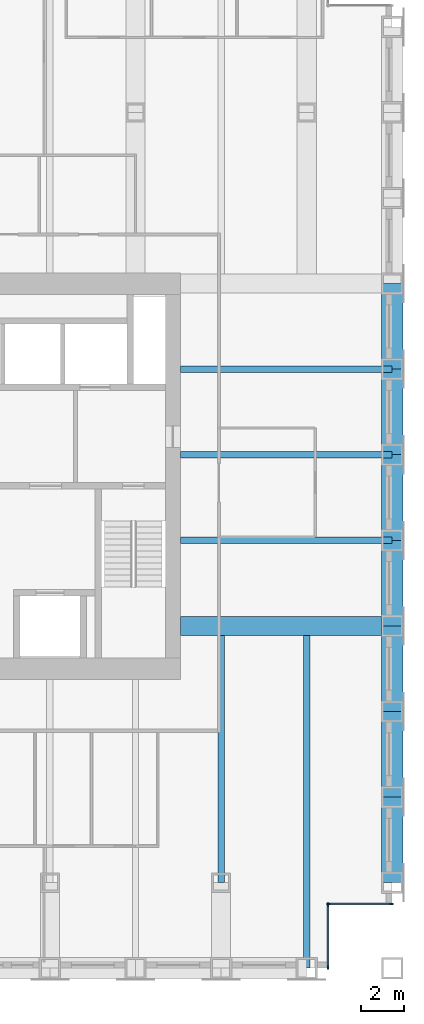
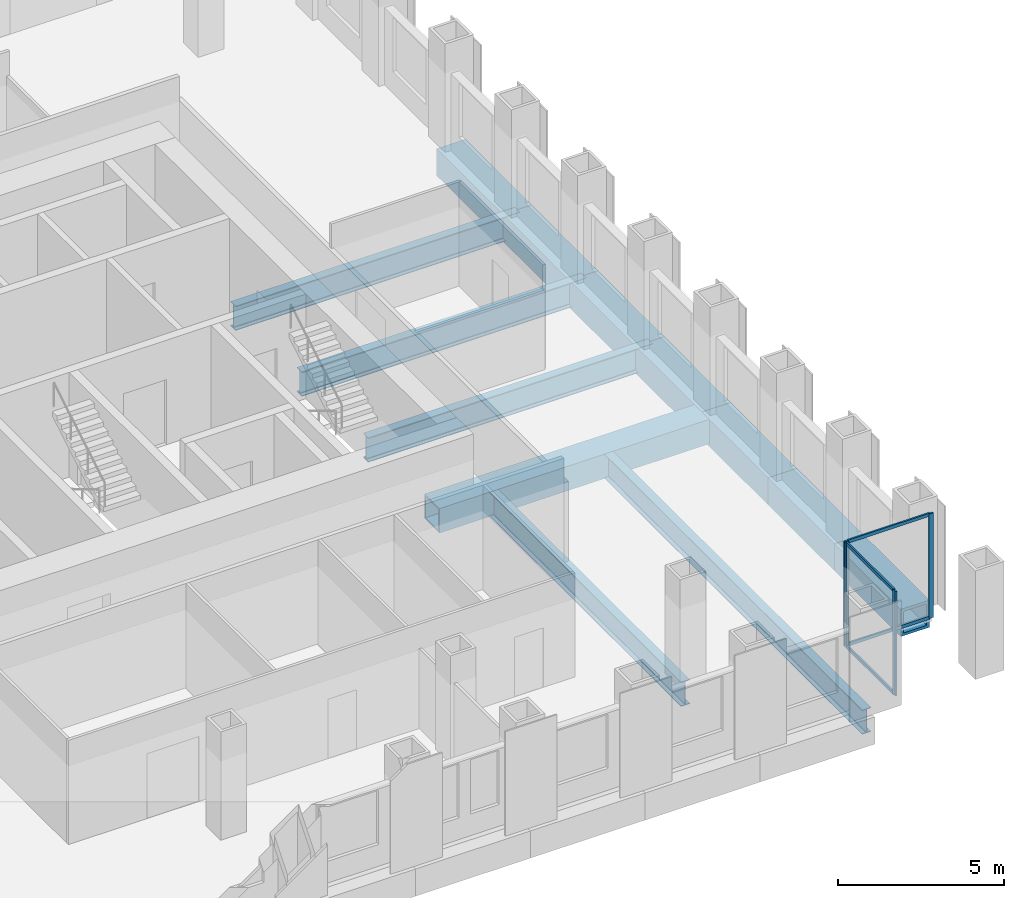
# One storey, part 4 of 12: 13 beams, 8 members, 2 elements without a shape of their own.
"""IFC4 building model written with IfcOpenShell, lengths in metres."""

from ifc_helpers import new_model, si_unit, direction, frame, origin, origin_2d, place, context, subcontext, project, spatial, rectangle, hollow_rectangle, i_section, extrude, material, material_profile, profile_set, type_object, element, aggregate, save


model = new_model("IFC4")

# Units and contexts
model_context = context("Model", 3, precision=1e-05, world=origin(), true_north=direction((0.0, 1.0)))
body_context = subcontext(model_context, "Body", "Model", "MODEL_VIEW")
ifc_project = project(units=[si_unit("LENGTHUNIT", "METRE"), si_unit("AREAUNIT", "SQUARE_METRE"), si_unit("VOLUMEUNIT", "CUBIC_METRE"), si_unit("PLANEANGLEUNIT", "RADIAN"), si_unit("MASSUNIT", "GRAM", prefix="KILO")], contexts=[model_context])

# Site, building, storey
site_placement = place(None, origin())
site = spatial("IfcSite", under=ifc_project, at=site_placement, CompositionType="ELEMENT")
building_placement = place(site_placement, origin())
building = spatial("IfcBuilding", under=site, at=building_placement, Name="Rimbunsela Tower", CompositionType="ELEMENT")
storey_placement = place(building_placement, frame((0.0, 0.0, 163.800048828125)))
storey = spatial("IfcBuildingStorey", under=building, at=storey_placement, Name="L39", CompositionType="ELEMENT", Elevation=163.800048828125)

# Beams
ifc_material_1 = material(Name="Steel BJ 55 (fy 410 MPa)", Category="steel")
ifc_material_profile_1 = material_profile(ifc_material_1, hollow_rectangle(XDim=1.0, YDim=1.0, WallThickness=0.10009765625, at=origin_2d()), Name="BOX 1000x1000x100")
ifc_profile_set_1 = profile_set([ifc_material_profile_1], Name="Steel BJ 55 (fy 410 MPa)")
beam_type_1 = type_object("IfcBeamType", Name="Beam BOX 1000x1000x100", PredefinedType="BEAM", material=ifc_profile_set_1)
for number, where, z_axis, x_axis, name in (
    (1, (46.0, 8.0, -0.650146484375), (0.0, 1.0, 0.0), (-1.0, 0.0, 0.0), "Beam B3 L39"),
    (2, (46.0, 12.0, -0.650146484375), (0.0, 1.0, 0.0), (-1.0, 0.0, 0.0), "Beam B3 L39"),
    (3, (46.0, 16.0, -0.650146484375), (0.0, 1.0, 0.0), (-1.0, 0.0, 0.0), "Beam B3 L39"),
    (4, (46.0, 20.0, -0.650146484375), (0.0, 1.0, 0.0), (-1.0, 0.0, 0.0), "Beam B3 L39"),
    (5, (46.0, 24.0, -0.650146484375), (0.0, 1.0, 0.0), (-1.0, 0.0, 0.0), "Beam B3 L39"),
    (6, (46.0, 28.0, -0.650146484375), (0.0, 1.0, 0.0), (-1.0, 0.0, 0.0), "Beam B3 L39"),
    (7, (46.0, 32.0, -0.650146484375), (0.0, 1.0, 0.0), (-1.0, 0.0, 0.0), "Beam B3 L39"),
):
    element("IfcBeam", number, at=place(storey_placement, frame(where, z_axis=z_axis, x_axis=x_axis)), inside=storey, type_object=beam_type_1, Name=name, PredefinedType="BEAM", context=body_context, shape_type="SweptSolid", body=[
        extrude(hollow_rectangle(XDim=1.0, YDim=1.0, WallThickness=0.10009765625, at=origin_2d()), origin(), (0.0, 0.0, 1.0), 4.0),
    ])
ifc_material_2 = material(Name="Steel BJ 55 (fy 410 MPa)", Category="steel")
ifc_material_profile_2 = material_profile(ifc_material_2, hollow_rectangle(XDim=0.89990234375, YDim=0.89990234375, WallThickness=0.06005859375, at=origin_2d()), Name="BOX 900x900x60")
ifc_profile_set_2 = profile_set([ifc_material_profile_2], Name="Steel BJ 55 (fy 410 MPa)")
beam_type_2 = type_object("IfcBeamType", Name="Beam BOX 900x900x60", PredefinedType="BEAM", material=ifc_profile_set_2)
beam_1_placement = place(storey_placement, frame((36.10009765625, 20.0, -0.60009765625), z_axis=(1.0, 0.0, 0.0), x_axis=(0.0, 1.0, 0.0)))
element("IfcBeam", 8, at=beam_1_placement, inside=storey, type_object=beam_type_2, Name="Beam B1 L39", PredefinedType="BEAM", context=body_context, shape_type="SweptSolid", body=[
    extrude(hollow_rectangle(XDim=0.89990234375, YDim=0.89990234375, WallThickness=0.06005859375, at=origin_2d()), origin(), (0.0, 0.0, 1.0), 9.89990234375),
])
ifc_material_3 = material(Name="Steel BJ 55 (fy 410 MPa)", Category="steel")
ifc_material_profile_3 = material_profile(ifc_material_3, i_section(OverallWidth=0.300048828125, OverallDepth=0.89990234375, WebThickness=0.01611328125, FlangeThickness=0.028076171875, FilletRadius=0.028076171875, at=origin_2d()), Name="H 900x300x16x28")
ifc_profile_set_3 = profile_set([ifc_material_profile_3], Name="Steel BJ 55 (fy 410 MPa)")
beam_type_3 = type_object("IfcBeamType", Name="Beam H 900x300x16x28", PredefinedType="BEAM", material=ifc_profile_set_3)
for number, where, z_axis, x_axis, name in (
    (9, (36.10009765625, 24.0, -0.60009765625), (1.0, 0.0, 0.0), (0.0, 1.0, 0.0), "Beam B2 L39"),
    (10, (36.10009765625, 28.0, -0.60009765625), (1.0, 0.0, 0.0), (0.0, 1.0, 0.0), "Beam B2 L39"),
    (11, (36.10009765625, 32.0, -0.60009765625), (1.0, 0.0, 0.0), (0.0, 1.0, 0.0), "Beam B2 L39"),
):
    element("IfcBeam", number, at=place(storey_placement, frame(where, z_axis=z_axis, x_axis=x_axis)), inside=storey, type_object=beam_type_3, Name=name, PredefinedType="BEAM", context=body_context, shape_type="SweptSolid", body=[
        extrude(i_section(OverallWidth=0.300048828125, OverallDepth=0.89990234375, WebThickness=0.01611328125, FlangeThickness=0.028076171875, FilletRadius=0.028076171875, at=origin_2d()), origin(), (0.0, 0.0, 1.0), 9.89990234375),
    ])
beam_2_placement = place(storey_placement, frame((38.0, 8.0, -0.60009765625), z_axis=(0.0, 1.0, 0.0), x_axis=(-1.0, 0.0, 0.0)))
element("IfcBeam", 12, at=beam_2_placement, inside=storey, type_object=beam_type_3, Name="Beam B2 L39", PredefinedType="BEAM", context=body_context, shape_type="SweptSolid", body=[
    extrude(i_section(OverallWidth=0.300048828125, OverallDepth=0.89990234375, WebThickness=0.01611328125, FlangeThickness=0.028076171875, FilletRadius=0.028076171875, at=origin_2d()), origin(), (0.0, 0.0, 1.0), 11.550048828125),
])
beam_3_placement = place(storey_placement, frame((42.0, 4.0, -0.60009765625), z_axis=(0.0, 1.0, 0.0), x_axis=(-1.0, 0.0, 0.0)))
element("IfcBeam", 13, at=beam_3_placement, inside=storey, type_object=beam_type_3, Name="Beam B2 L39", PredefinedType="BEAM", context=body_context, shape_type="SweptSolid", body=[
    extrude(i_section(OverallWidth=0.300048828125, OverallDepth=0.89990234375, WebThickness=0.01611328125, FlangeThickness=0.028076171875, FilletRadius=0.028076171875, at=origin_2d()), origin(), (0.0, 0.0, 1.0), 15.550048828125),
])

# Curtain wall, members
ifc_material_4 = material(Name="Aluminium curtain wall", Category="aluminium")
curtain_wall_type = type_object("IfcCurtainWallType", Name="Corner glazing", PredefinedType="USERDEFINED", material=ifc_material_4)
curtain_wall_1_placement = place(storey_placement, origin())
curtain_wall_1 = element("IfcCurtainWall", 14, at=curtain_wall_1_placement, inside=storey, type_object=curtain_wall_type, Name="Corner glazing L39", ObjectType="CORNER GLAZING", PredefinedType="USERDEFINED")
ifc_material_5 = material(Name="Aluminium mullion", Category="aluminium")
ifc_material_profile_4 = material_profile(ifc_material_5, rectangle(XDim=0.06005859375, YDim=0.159912109375, at=origin_2d()), Name="Mullion 60x160")
ifc_profile_set_4 = profile_set([ifc_material_profile_4], Name="Aluminium mullion")
member_type_1 = type_object("IfcMemberType", Name="Curtain wall mullion 60x160", PredefinedType="MULLION", material=ifc_profile_set_4)
member_1_placement = place(storey_placement, frame((43.0, 4.030029296875, 0.0), z_axis=(0.0, 0.0, 1.0), x_axis=(-1.0, 0.0, 0.0)))
member_1 = element("IfcMember", 15, at=member_1_placement, type_object=member_type_1, Name="CW5 mullion 1", PredefinedType="MULLION", context=body_context, shape_type="SweptSolid", body=[
    extrude(rectangle(XDim=0.06005859375, YDim=0.159912109375, at=origin_2d()), origin(), (0.0, 0.0, 1.0), 3.849853515625),
])
member_2_placement = place(storey_placement, frame((43.0, 6.969970703125, 0.0), z_axis=(0.0, 0.0, 1.0), x_axis=(-1.0, 0.0, 0.0)))
member_2 = element("IfcMember", 16, at=member_2_placement, type_object=member_type_1, Name="CW5 mullion 2", PredefinedType="MULLION", context=body_context, shape_type="SweptSolid", body=[
    extrude(rectangle(XDim=0.06005859375, YDim=0.159912109375, at=origin_2d()), origin(), (0.0, 0.0, 1.0), 3.849853515625),
])

curtain_wall_2_placement = place(storey_placement, origin())
curtain_wall_2 = element("IfcCurtainWall", 17, at=curtain_wall_2_placement, inside=storey, type_object=curtain_wall_type, Name="Corner glazing L39", ObjectType="CORNER GLAZING", PredefinedType="USERDEFINED")
member_3_placement = place(storey_placement, frame((43.030029296875, 7.0, 0.0), z_axis=(0.0, 0.0, 1.0), x_axis=(0.0, 1.0, 0.0)))
member_3 = element("IfcMember", 18, at=member_3_placement, type_object=member_type_1, Name="CW5 mullion 1", PredefinedType="MULLION", context=body_context, shape_type="SweptSolid", body=[
    extrude(rectangle(XDim=0.06005859375, YDim=0.159912109375, at=origin_2d()), origin(), (0.0, 0.0, 1.0), 3.849853515625),
])
member_4_placement = place(storey_placement, frame((45.969970703125, 7.0, 0.0), z_axis=(0.0, 0.0, 1.0), x_axis=(0.0, 1.0, 0.0)))
member_4 = element("IfcMember", 19, at=member_4_placement, type_object=member_type_1, Name="CW5 mullion 2", PredefinedType="MULLION", context=body_context, shape_type="SweptSolid", body=[
    extrude(rectangle(XDim=0.06005859375, YDim=0.159912109375, at=origin_2d()), origin(), (0.0, 0.0, 1.0), 3.849853515625),
])

# Member
ifc_material_6 = material(Name="Aluminium transom", Category="aluminium")
ifc_material_profile_5 = material_profile(ifc_material_6, rectangle(XDim=0.06005859375, YDim=0.1201171875, at=origin_2d()), Name="Transom 60x120")
ifc_profile_set_5 = profile_set([ifc_material_profile_5], Name="Aluminium transom")
member_type_2 = type_object("IfcMemberType", Name="Curtain wall transom 60x120", PredefinedType="USERDEFINED", material=ifc_profile_set_5)
member_5_placement = place(storey_placement, frame((43.0, 4.06005859375, 0.030029296875), z_axis=(0.0, 1.0, 0.0), x_axis=(-1.0, 0.0, 0.0)))
member_5 = element("IfcMember", 20, at=member_5_placement, type_object=member_type_2, Name="CW5 transom 1.1", ObjectType="TRANSOM", PredefinedType="USERDEFINED", context=body_context, shape_type="SweptSolid", body=[
    extrude(rectangle(XDim=0.06005859375, YDim=0.1201171875, at=origin_2d()), origin(), (0.0, 0.0, 1.0), 2.8798828125),
])

member_6_placement = place(storey_placement, frame((43.0, 4.06005859375, 3.820068359375), z_axis=(0.0, 1.0, 0.0), x_axis=(-1.0, 0.0, 0.0)))
member_6 = element("IfcMember", 21, at=member_6_placement, type_object=member_type_2, Name="CW5 transom 1.2", ObjectType="TRANSOM", PredefinedType="USERDEFINED", context=body_context, shape_type="SweptSolid", body=[
    extrude(rectangle(XDim=0.06005859375, YDim=0.1201171875, at=origin_2d()), origin(), (0.0, 0.0, 1.0), 2.8798828125),
])

aggregate(curtain_wall_1, [member_1, member_2, member_5, member_6])

member_7_placement = place(storey_placement, frame((43.06005859375, 7.0, 0.030029296875), z_axis=(1.0, 0.0, 0.0), x_axis=(0.0, 1.0, 0.0)))
member_7 = element("IfcMember", 22, at=member_7_placement, type_object=member_type_2, Name="CW5 transom 1.1", ObjectType="TRANSOM", PredefinedType="USERDEFINED", context=body_context, shape_type="SweptSolid", body=[
    extrude(rectangle(XDim=0.06005859375, YDim=0.1201171875, at=origin_2d()), origin(), (0.0, 0.0, 1.0), 2.8798828125),
])

member_8_placement = place(storey_placement, frame((43.06005859375, 7.0, 3.820068359375), z_axis=(1.0, 0.0, 0.0), x_axis=(0.0, 1.0, 0.0)))
member_8 = element("IfcMember", 23, at=member_8_placement, type_object=member_type_2, Name="CW5 transom 1.2", ObjectType="TRANSOM", PredefinedType="USERDEFINED", context=body_context, shape_type="SweptSolid", body=[
    extrude(rectangle(XDim=0.06005859375, YDim=0.1201171875, at=origin_2d()), origin(), (0.0, 0.0, 1.0), 2.8798828125),
])

aggregate(curtain_wall_2, [member_3, member_4, member_7, member_8])

save(model, "model.ifc")
